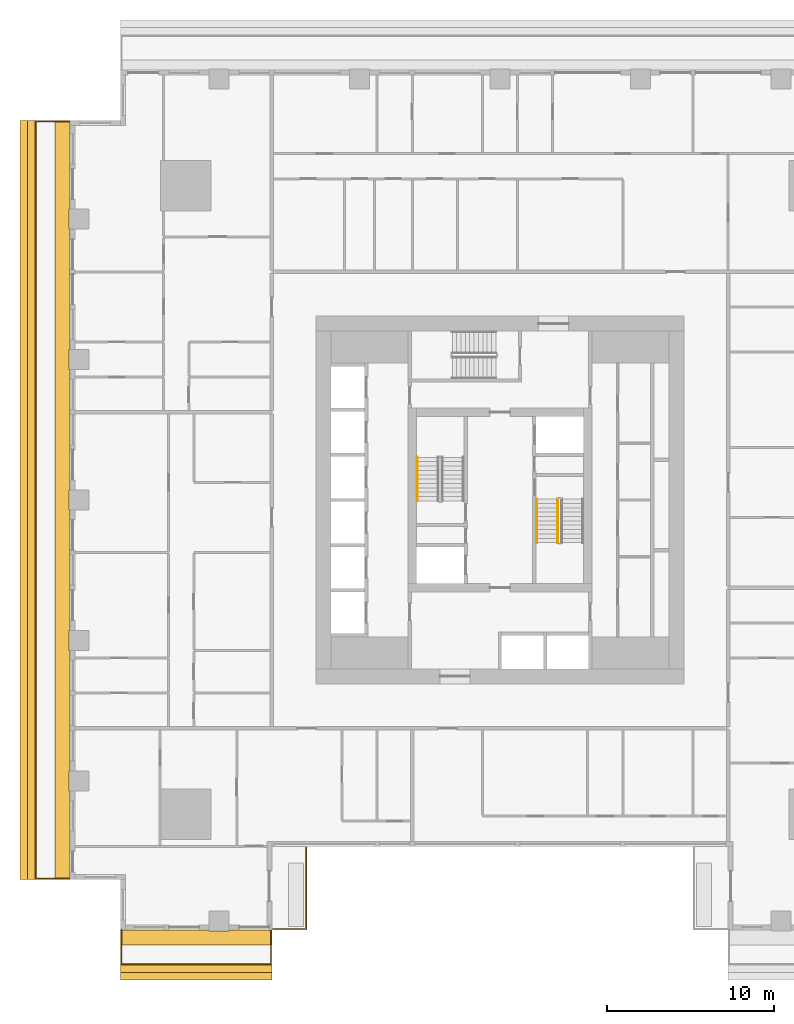
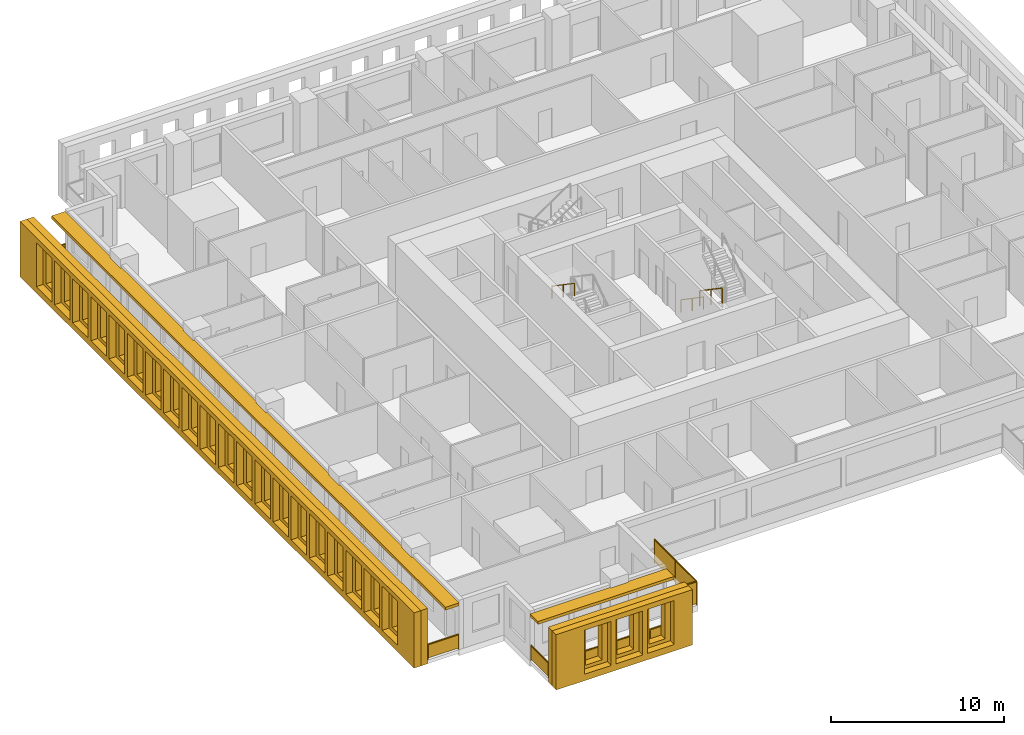
# One storey, part 10 of 14: 6 railings, 6 shading devices.
"""IFC4 building model written with IfcOpenShell, lengths in metres."""

from ifc_helpers import new_model, si_unit, direction, frame, origin, origin_2d, place, context, subcontext, project, spatial, polyline, rectangle, outline, extrude, material, layer, layer_set, type_object, element, save


model = new_model("IFC4")

# Units and contexts
model_context = context("Model", 3, precision=1e-05, world=origin(), true_north=direction((0.0, 1.0)))
body_context = subcontext(model_context, "Body", "Model", "MODEL_VIEW")
ifc_project = project(units=[si_unit("LENGTHUNIT", "METRE"), si_unit("AREAUNIT", "SQUARE_METRE"), si_unit("VOLUMEUNIT", "CUBIC_METRE"), si_unit("PLANEANGLEUNIT", "RADIAN"), si_unit("MASSUNIT", "GRAM", prefix="KILO")], contexts=[model_context])

# Site, building, storey
site_placement = place(None, origin())
site = spatial("IfcSite", under=ifc_project, at=site_placement, CompositionType="ELEMENT")
building_placement = place(site_placement, origin())
building = spatial("IfcBuilding", under=site, at=building_placement, Name="Khepri Terraces", CompositionType="ELEMENT")
storey_placement = place(building_placement, frame((0.0, 0.0, 66.0)))
storey = spatial("IfcBuildingStorey", under=building, at=storey_placement, Name="L15", CompositionType="ELEMENT", Elevation=66.0)

# Railings
ifc_material_1 = material(Name="Stainless steel grade 316", Category="steel")
railing_type_1 = type_object("IfcRailingType", Name="GRD-BAL-1100", PredefinedType="GUARDRAIL", material=ifc_material_1)
railing_1_placement = place(storey_placement, frame((-22.669921875, -25.719970703125, 0.0)))
element("IfcRailing", 1, at=railing_1_placement, inside=storey, type_object=railing_type_1, Name="Balcony guard L15 S", PredefinedType="GUARDRAIL", context=body_context, shape_type="SweptSolid", body=[
    extrude(rectangle(XDim=0.050048828125, YDim=0.06005859375, at=origin_2d()), frame((0.0, 0.0, 1.070068359375), z_axis=(0.0, -1.0, 0.0), x_axis=(1.0, 0.0, 0.0)), (0.0, 0.0, 1.0), 2.050048828125),
    extrude(rectangle(XDim=2.0, YDim=0.011962890625, at=origin_2d()), frame((0.0, -1.02490234375, 0.10009765625), z_axis=(0.0, 0.0, 1.0), x_axis=(0.0, -1.0, 0.0)), (0.0, 0.0, 1.0), 0.93994140625),
    extrude(rectangle(XDim=0.050048828125, YDim=0.06005859375, at=origin_2d()), frame((0.0, -2.050048828125, 1.070068359375), z_axis=(1.0, 0.0, 0.0), x_axis=(0.0, 1.0, 0.0)), (0.0, 0.0, 1.0), 8.969970703125),
    extrude(rectangle(XDim=2.1923828125, YDim=0.011962890625, at=origin_2d()), frame((1.121337890625, -2.050048828125, 0.10009765625), z_axis=(0.0, 0.0, 1.0), x_axis=(1.0, 0.0, 0.0)), (0.0, 0.0, 1.0), 0.93994140625),
    extrude(rectangle(XDim=2.1923828125, YDim=0.011962890625, at=origin_2d()), frame((3.36376953125, -2.050048828125, 0.10009765625), z_axis=(0.0, 0.0, 1.0), x_axis=(1.0, 0.0, 0.0)), (0.0, 0.0, 1.0), 0.93994140625),
    extrude(rectangle(XDim=2.1923828125, YDim=0.011962890625, at=origin_2d()), frame((5.606201171875, -2.050048828125, 0.10009765625), z_axis=(0.0, 0.0, 1.0), x_axis=(1.0, 0.0, 0.0)), (0.0, 0.0, 1.0), 0.93994140625),
    extrude(rectangle(XDim=2.1923828125, YDim=0.011962890625, at=origin_2d()), frame((7.8486328125, -2.050048828125, 0.10009765625), z_axis=(0.0, 0.0, 1.0), x_axis=(1.0, 0.0, 0.0)), (0.0, 0.0, 1.0), 0.93994140625),
    extrude(rectangle(XDim=0.050048828125, YDim=0.06005859375, at=origin_2d()), frame((8.969970703125, -2.050048828125, 1.070068359375), z_axis=(0.0, 1.0, 0.0), x_axis=(-1.0, 0.0, 0.0)), (0.0, 0.0, 1.0), 2.050048828125),
    extrude(rectangle(XDim=2.0, YDim=0.011962890625, at=origin_2d()), frame((8.969970703125, -1.02490234375, 0.10009765625), z_axis=(0.0, 0.0, 1.0), x_axis=(0.0, 1.0, 0.0)), (0.0, 0.0, 1.0), 0.93994140625),
    extrude(rectangle(XDim=0.050048828125, YDim=0.050048828125, at=origin_2d()), origin(), (0.0, 0.0, 1.0), 1.0400390625),
    extrude(rectangle(XDim=0.050048828125, YDim=0.050048828125, at=origin_2d()), frame((0.0, -2.050048828125, 0.0)), (0.0, 0.0, 1.0), 1.0400390625),
    extrude(rectangle(XDim=0.050048828125, YDim=0.050048828125, at=origin_2d()), frame((2.242431640625, -2.050048828125, 0.0)), (0.0, 0.0, 1.0), 1.0400390625),
    extrude(rectangle(XDim=0.050048828125, YDim=0.050048828125, at=origin_2d()), frame((4.48486328125, -2.050048828125, 0.0)), (0.0, 0.0, 1.0), 1.0400390625),
    extrude(rectangle(XDim=0.050048828125, YDim=0.050048828125, at=origin_2d()), frame((6.7275390625, -2.050048828125, 0.0)), (0.0, 0.0, 1.0), 1.0400390625),
    extrude(rectangle(XDim=0.050048828125, YDim=0.050048828125, at=origin_2d()), frame((8.969970703125, -2.050048828125, 0.0)), (0.0, 0.0, 1.0), 1.0400390625),
    extrude(rectangle(XDim=0.050048828125, YDim=0.050048828125, at=origin_2d()), frame((8.969970703125, 0.0, 0.0)), (0.0, 0.0, 1.0), 1.0400390625),
])
railing_2_placement = place(storey_placement, frame((-25.719970703125, 22.669921875, 0.0)))
element("IfcRailing", 2, at=railing_2_placement, inside=storey, type_object=railing_type_1, Name="Balcony guard L15 W", PredefinedType="GUARDRAIL", context=body_context, shape_type="SweptSolid", body=[
    extrude(rectangle(XDim=0.050048828125, YDim=0.06005859375, at=origin_2d()), frame((0.0, 0.0, 1.070068359375), z_axis=(-1.0, 0.0, 0.0), x_axis=(0.0, -1.0, 0.0)), (0.0, 0.0, 1.0), 2.050048828125),
    extrude(rectangle(XDim=2.0, YDim=0.011962890625, at=origin_2d()), frame((-1.02490234375, 0.0, 0.10009765625), z_axis=(0.0, 0.0, 1.0), x_axis=(-1.0, 0.0, 0.0)), (0.0, 0.0, 1.0), 0.93994140625),
    extrude(rectangle(XDim=0.050048828125, YDim=0.06005859375, at=origin_2d()), frame((-2.050048828125, 0.0, 1.070068359375), z_axis=(0.0, -1.0, 0.0), x_axis=(1.0, 0.0, 0.0)), (0.0, 0.0, 1.0), 45.33984375),
    extrude(rectangle(XDim=2.336181640625, YDim=0.011962890625, at=origin_2d()), frame((-2.050048828125, -1.193115234375, 0.10009765625), z_axis=(0.0, 0.0, 1.0), x_axis=(0.0, -1.0, 0.0)), (0.0, 0.0, 1.0), 0.93994140625),
    extrude(rectangle(XDim=2.336181640625, YDim=0.011962890625, at=origin_2d()), frame((-2.050048828125, -3.579345703125, 0.10009765625), z_axis=(0.0, 0.0, 1.0), x_axis=(0.0, -1.0, 0.0)), (0.0, 0.0, 1.0), 0.93994140625),
    extrude(rectangle(XDim=2.336181640625, YDim=0.011962890625, at=origin_2d()), frame((-2.050048828125, -5.9658203125, 0.10009765625), z_axis=(0.0, 0.0, 1.0), x_axis=(0.0, -1.0, 0.0)), (0.0, 0.0, 1.0), 0.93994140625),
    extrude(rectangle(XDim=2.336181640625, YDim=0.011962890625, at=origin_2d()), frame((-2.050048828125, -8.35205078125, 0.10009765625), z_axis=(0.0, 0.0, 1.0), x_axis=(0.0, -1.0, 0.0)), (0.0, 0.0, 1.0), 0.93994140625),
    extrude(rectangle(XDim=2.336181640625, YDim=0.011962890625, at=origin_2d()), frame((-2.050048828125, -10.73828125, 0.10009765625), z_axis=(0.0, 0.0, 1.0), x_axis=(0.0, -1.0, 0.0)), (0.0, 0.0, 1.0), 0.93994140625),
    extrude(rectangle(XDim=2.336181640625, YDim=0.011962890625, at=origin_2d()), frame((-2.050048828125, -13.124755859375, 0.10009765625), z_axis=(0.0, 0.0, 1.0), x_axis=(0.0, -1.0, 0.0)), (0.0, 0.0, 1.0), 0.93994140625),
    extrude(rectangle(XDim=2.336181640625, YDim=0.011962890625, at=origin_2d()), frame((-2.050048828125, -15.510986328125, 0.10009765625), z_axis=(0.0, 0.0, 1.0), x_axis=(0.0, -1.0, 0.0)), (0.0, 0.0, 1.0), 0.93994140625),
    extrude(rectangle(XDim=2.336181640625, YDim=0.011962890625, at=origin_2d()), frame((-2.050048828125, -17.897216796875, 0.10009765625), z_axis=(0.0, 0.0, 1.0), x_axis=(0.0, -1.0, 0.0)), (0.0, 0.0, 1.0), 0.93994140625),
    extrude(rectangle(XDim=2.336181640625, YDim=0.011962890625, at=origin_2d()), frame((-2.050048828125, -20.28369140625, 0.10009765625), z_axis=(0.0, 0.0, 1.0), x_axis=(0.0, -1.0, 0.0)), (0.0, 0.0, 1.0), 0.93994140625),
    extrude(rectangle(XDim=2.336181640625, YDim=0.011962890625, at=origin_2d()), frame((-2.050048828125, -22.669921875, 0.10009765625), z_axis=(0.0, 0.0, 1.0), x_axis=(0.0, -1.0, 0.0)), (0.0, 0.0, 1.0), 0.93994140625),
    extrude(rectangle(XDim=2.336181640625, YDim=0.011962890625, at=origin_2d()), frame((-2.050048828125, -25.05615234375, 0.10009765625), z_axis=(0.0, 0.0, 1.0), x_axis=(0.0, -1.0, 0.0)), (0.0, 0.0, 1.0), 0.93994140625),
    extrude(rectangle(XDim=2.336181640625, YDim=0.011962890625, at=origin_2d()), frame((-2.050048828125, -27.442626953125, 0.10009765625), z_axis=(0.0, 0.0, 1.0), x_axis=(0.0, -1.0, 0.0)), (0.0, 0.0, 1.0), 0.93994140625),
    extrude(rectangle(XDim=2.336181640625, YDim=0.011962890625, at=origin_2d()), frame((-2.050048828125, -29.828857421875, 0.10009765625), z_axis=(0.0, 0.0, 1.0), x_axis=(0.0, -1.0, 0.0)), (0.0, 0.0, 1.0), 0.93994140625),
    extrude(rectangle(XDim=2.336181640625, YDim=0.011962890625, at=origin_2d()), frame((-2.050048828125, -32.215087890625, 0.10009765625), z_axis=(0.0, 0.0, 1.0), x_axis=(0.0, -1.0, 0.0)), (0.0, 0.0, 1.0), 0.93994140625),
    extrude(rectangle(XDim=2.336181640625, YDim=0.011962890625, at=origin_2d()), frame((-2.050048828125, -34.6015625, 0.10009765625), z_axis=(0.0, 0.0, 1.0), x_axis=(0.0, -1.0, 0.0)), (0.0, 0.0, 1.0), 0.93994140625),
    extrude(rectangle(XDim=2.336181640625, YDim=0.011962890625, at=origin_2d()), frame((-2.050048828125, -36.98779296875, 0.10009765625), z_axis=(0.0, 0.0, 1.0), x_axis=(0.0, -1.0, 0.0)), (0.0, 0.0, 1.0), 0.93994140625),
    extrude(rectangle(XDim=2.336181640625, YDim=0.011962890625, at=origin_2d()), frame((-2.050048828125, -39.3740234375, 0.10009765625), z_axis=(0.0, 0.0, 1.0), x_axis=(0.0, -1.0, 0.0)), (0.0, 0.0, 1.0), 0.93994140625),
    extrude(rectangle(XDim=2.336181640625, YDim=0.011962890625, at=origin_2d()), frame((-2.050048828125, -41.760498046875, 0.10009765625), z_axis=(0.0, 0.0, 1.0), x_axis=(0.0, -1.0, 0.0)), (0.0, 0.0, 1.0), 0.93994140625),
    extrude(rectangle(XDim=2.336181640625, YDim=0.011962890625, at=origin_2d()), frame((-2.050048828125, -44.146728515625, 0.10009765625), z_axis=(0.0, 0.0, 1.0), x_axis=(0.0, -1.0, 0.0)), (0.0, 0.0, 1.0), 0.93994140625),
    extrude(rectangle(XDim=0.050048828125, YDim=0.06005859375, at=origin_2d()), frame((-2.050048828125, -45.33984375, 1.070068359375), z_axis=(1.0, 0.0, 0.0), x_axis=(0.0, 1.0, 0.0)), (0.0, 0.0, 1.0), 2.050048828125),
    extrude(rectangle(XDim=2.0, YDim=0.011962890625, at=origin_2d()), frame((-1.02490234375, -45.33984375, 0.10009765625), z_axis=(0.0, 0.0, 1.0), x_axis=(1.0, 0.0, 0.0)), (0.0, 0.0, 1.0), 0.93994140625),
    extrude(rectangle(XDim=0.050048828125, YDim=0.050048828125, at=origin_2d()), origin(), (0.0, 0.0, 1.0), 1.0400390625),
    extrude(rectangle(XDim=0.050048828125, YDim=0.050048828125, at=origin_2d()), frame((-2.050048828125, 0.0, 0.0)), (0.0, 0.0, 1.0), 1.0400390625),
    extrude(rectangle(XDim=0.050048828125, YDim=0.050048828125, at=origin_2d()), frame((-2.050048828125, -2.38623046875, 0.0)), (0.0, 0.0, 1.0), 1.0400390625),
    extrude(rectangle(XDim=0.050048828125, YDim=0.050048828125, at=origin_2d()), frame((-2.050048828125, -4.772705078125, 0.0)), (0.0, 0.0, 1.0), 1.0400390625),
    extrude(rectangle(XDim=0.050048828125, YDim=0.050048828125, at=origin_2d()), frame((-2.050048828125, -7.158935546875, 0.0)), (0.0, 0.0, 1.0), 1.0400390625),
    extrude(rectangle(XDim=0.050048828125, YDim=0.050048828125, at=origin_2d()), frame((-2.050048828125, -9.545166015625, 0.0)), (0.0, 0.0, 1.0), 1.0400390625),
    extrude(rectangle(XDim=0.050048828125, YDim=0.050048828125, at=origin_2d()), frame((-2.050048828125, -11.931640625, 0.0)), (0.0, 0.0, 1.0), 1.0400390625),
    extrude(rectangle(XDim=0.050048828125, YDim=0.050048828125, at=origin_2d()), frame((-2.050048828125, -14.31787109375, 0.0)), (0.0, 0.0, 1.0), 1.0400390625),
    extrude(rectangle(XDim=0.050048828125, YDim=0.050048828125, at=origin_2d()), frame((-2.050048828125, -16.7041015625, 0.0)), (0.0, 0.0, 1.0), 1.0400390625),
    extrude(rectangle(XDim=0.050048828125, YDim=0.050048828125, at=origin_2d()), frame((-2.050048828125, -19.090576171875, 0.0)), (0.0, 0.0, 1.0), 1.0400390625),
    extrude(rectangle(XDim=0.050048828125, YDim=0.050048828125, at=origin_2d()), frame((-2.050048828125, -21.476806640625, 0.0)), (0.0, 0.0, 1.0), 1.0400390625),
    extrude(rectangle(XDim=0.050048828125, YDim=0.050048828125, at=origin_2d()), frame((-2.050048828125, -23.863037109375, 0.0)), (0.0, 0.0, 1.0), 1.0400390625),
    extrude(rectangle(XDim=0.050048828125, YDim=0.050048828125, at=origin_2d()), frame((-2.050048828125, -26.249267578125, 0.0)), (0.0, 0.0, 1.0), 1.0400390625),
    extrude(rectangle(XDim=0.050048828125, YDim=0.050048828125, at=origin_2d()), frame((-2.050048828125, -28.6357421875, 0.0)), (0.0, 0.0, 1.0), 1.0400390625),
    extrude(rectangle(XDim=0.050048828125, YDim=0.050048828125, at=origin_2d()), frame((-2.050048828125, -31.02197265625, 0.0)), (0.0, 0.0, 1.0), 1.0400390625),
    extrude(rectangle(XDim=0.050048828125, YDim=0.050048828125, at=origin_2d()), frame((-2.050048828125, -33.408203125, 0.0)), (0.0, 0.0, 1.0), 1.0400390625),
    extrude(rectangle(XDim=0.050048828125, YDim=0.050048828125, at=origin_2d()), frame((-2.050048828125, -35.794677734375, 0.0)), (0.0, 0.0, 1.0), 1.0400390625),
    extrude(rectangle(XDim=0.050048828125, YDim=0.050048828125, at=origin_2d()), frame((-2.050048828125, -38.180908203125, 0.0)), (0.0, 0.0, 1.0), 1.0400390625),
    extrude(rectangle(XDim=0.050048828125, YDim=0.050048828125, at=origin_2d()), frame((-2.050048828125, -40.567138671875, 0.0)), (0.0, 0.0, 1.0), 1.0400390625),
    extrude(rectangle(XDim=0.050048828125, YDim=0.050048828125, at=origin_2d()), frame((-2.050048828125, -42.95361328125, 0.0)), (0.0, 0.0, 1.0), 1.0400390625),
    extrude(rectangle(XDim=0.050048828125, YDim=0.050048828125, at=origin_2d()), frame((-2.050048828125, -45.33984375, 0.0)), (0.0, 0.0, 1.0), 1.0400390625),
    extrude(rectangle(XDim=0.050048828125, YDim=0.050048828125, at=origin_2d()), frame((0.0, -45.33984375, 0.0)), (0.0, 0.0, 1.0), 1.0400390625),
])
railing_type_2 = type_object("IfcRailingType", Name="GRD-TERR-1700", PredefinedType="GUARDRAIL", material=ifc_material_1)
railing_3_placement = place(storey_placement, frame((-11.60009765625, -20.7900390625, 0.0)))
element("IfcRailing", 3, at=railing_3_placement, inside=storey, type_object=railing_type_2, Name="Terrace guard L15", PredefinedType="GUARDRAIL", context=body_context, shape_type="SweptSolid", body=[
    extrude(rectangle(XDim=0.050048828125, YDim=0.06005859375, at=origin_2d()), frame((0.0, 0.0, 1.669921875), z_axis=(0.0, -1.0, 0.0), x_axis=(1.0, 0.0, 0.0)), (0.0, 0.0, 1.0), 4.8798828125),
    extrude(rectangle(XDim=2.389892578125, YDim=0.011962890625, at=origin_2d()), frame((0.0, -1.219970703125, 0.10009765625), z_axis=(0.0, 0.0, 1.0), x_axis=(0.0, -1.0, 0.0)), (0.0, 0.0, 1.0), 1.539794921875),
    extrude(rectangle(XDim=2.389892578125, YDim=0.011962890625, at=origin_2d()), frame((0.0, -3.659912109375, 0.10009765625), z_axis=(0.0, 0.0, 1.0), x_axis=(0.0, -1.0, 0.0)), (0.0, 0.0, 1.0), 1.539794921875),
    extrude(rectangle(XDim=0.050048828125, YDim=0.06005859375, at=origin_2d()), frame((0.0, -4.8798828125, 1.669921875), z_axis=(-1.0, 0.0, 0.0), x_axis=(0.0, -1.0, 0.0)), (0.0, 0.0, 1.0), 1.97998046875),
    extrude(rectangle(XDim=1.929931640625, YDim=0.011962890625, at=origin_2d()), frame((-0.989990234375, -4.8798828125, 0.10009765625), z_axis=(0.0, 0.0, 1.0), x_axis=(-1.0, 0.0, 0.0)), (0.0, 0.0, 1.0), 1.539794921875),
    extrude(rectangle(XDim=0.050048828125, YDim=0.050048828125, at=origin_2d()), origin(), (0.0, 0.0, 1.0), 1.639892578125),
    extrude(rectangle(XDim=0.050048828125, YDim=0.050048828125, at=origin_2d()), frame((0.0, -2.43994140625, 0.0)), (0.0, 0.0, 1.0), 1.639892578125),
    extrude(rectangle(XDim=0.050048828125, YDim=0.050048828125, at=origin_2d()), frame((0.0, -4.8798828125, 0.0)), (0.0, 0.0, 1.0), 1.639892578125),
    extrude(rectangle(XDim=0.050048828125, YDim=0.050048828125, at=origin_2d()), frame((-1.97998046875, -4.8798828125, 0.0)), (0.0, 0.0, 1.0), 1.639892578125),
])
ifc_material_2 = material(Name="Stainless steel 316", Category="steel")
railing_type_3 = type_object("IfcRailingType", Name="RL-CORE-GUARD", PredefinedType="GUARDRAIL", material=ifc_material_2)
railing_4_placement = place(storey_placement, frame((3.449951171875, 0.050048828125, 0.17724609375)))
element("IfcRailing", 4, at=railing_4_placement, inside=storey, type_object=railing_type_3, Name="L15 ST-2 stair guard 1", PredefinedType="GUARDRAIL", context=body_context, shape_type="SweptSolid", body=[
    extrude(rectangle(XDim=0.050048828125, YDim=0.06005859375, at=origin_2d()), frame((0.0, 0.0, 1.070068359375), z_axis=(0.0, -0.826240473404, 0.563317565952), x_axis=(1.0, 0.0, 0.0)), (0.0, 0.0, 1.0), 3.14697265625),
    extrude(rectangle(XDim=0.050048828125, YDim=0.050048828125, at=origin_2d()), origin(), (0.0, 0.0, 1.0), 1.0400390625),
    extrude(rectangle(XDim=0.050048828125, YDim=0.050048828125, at=origin_2d()), frame((0.0, -1.300048828125, 0.88623046875)), (0.0, 0.0, 1.0), 1.0400390625),
    extrude(rectangle(XDim=0.050048828125, YDim=0.050048828125, at=origin_2d()), frame((0.0, -2.60009765625, 1.772705078125)), (0.0, 0.0, 1.0), 1.0400390625),
])
railing_type_4 = type_object("IfcRailingType", Name="RL-CORE-HANDRAIL", PredefinedType="HANDRAIL", material=ifc_material_2)
for number, where, name in (
    (5, (-4.949951171875, 2.550048828125, 2.127197265625), "L15 ST-1 stair handrail 2"),
    (6, (2.199951171875, 0.050048828125, 0.17724609375), "L15 ST-2 stair handrail 1"),
):
    element("IfcRailing", number, at=place(storey_placement, frame(where)), inside=storey, type_object=railing_type_4, Name=name, PredefinedType="HANDRAIL", context=body_context, shape_type="SweptSolid", body=[
        extrude(rectangle(XDim=0.050048828125, YDim=0.050048828125, at=origin_2d()), frame((0.0, 0.0, 0.875), z_axis=(0.0, -0.826240473404, 0.563317565952), x_axis=(1.0, 0.0, 0.0)), (0.0, 0.0, 1.0), 3.14697265625),
        extrude(rectangle(XDim=0.050048828125, YDim=0.050048828125, at=origin_2d()), origin(), (0.0, 0.0, 1.0), 0.849853515625),
        extrude(rectangle(XDim=0.050048828125, YDim=0.050048828125, at=origin_2d()), frame((0.0, -1.300048828125, 0.88623046875)), (0.0, 0.0, 1.0), 0.849853515625),
        extrude(rectangle(XDim=0.050048828125, YDim=0.050048828125, at=origin_2d()), frame((0.0, -2.60009765625, 1.772705078125)), (0.0, 0.0, 1.0), 0.849853515625),
    ])

# Shading devices
ifc_material_3 = material(Name="Precast concrete C50/60 warm stone", Category="masonry")
shading_device_type_1 = type_object("IfcShadingDeviceType", Name="SCR-CELL-INNER-450", PredefinedType="USERDEFINED", material=ifc_material_3)
shading_device_1_placement = place(storey_placement, frame((-22.719970703125, -27.820068359375, -0.25), z_axis=(0.0, -1.0, 0.0), x_axis=(1.0, 0.0, 0.0)))
element("IfcShadingDevice", 7, at=shading_device_1_placement, inside=storey, type_object=shading_device_type_1, Name="Cell screen L15 S in", ObjectType="SCREEN", PredefinedType="USERDEFINED", context=body_context, shape_type="SweptSolid", body=[
    extrude(outline(polyline([(0.0, 0.0), (9.070068359375, 0.0), (9.070068359375, 3.89990234375), (0.0, 3.89990234375), (0.0, 0.0)]), holes=[polyline([(0.126708984375, 0.699951171875), (1.21337890625, 0.699951171875), (1.21337890625, 3.300048828125), (0.126708984375, 3.300048828125), (0.126708984375, 0.699951171875)]), polyline([(2.2265625, 0.699951171875), (3.3134765625, 0.699951171875), (3.3134765625, 3.300048828125), (2.2265625, 3.300048828125), (2.2265625, 0.699951171875)]), polyline([(4.32666015625, 0.699951171875), (5.413330078125, 0.699951171875), (5.413330078125, 3.300048828125), (4.32666015625, 3.300048828125), (4.32666015625, 0.699951171875)]), polyline([(6.426513671875, 0.699951171875), (7.513427734375, 0.699951171875), (7.513427734375, 3.300048828125), (6.426513671875, 3.300048828125), (6.426513671875, 0.699951171875)])]), origin(), (0.0, 0.0, 1.0), 0.449951171875),
])
shading_device_2_placement = place(storey_placement, frame((-27.820068359375, 22.719970703125, -0.25), z_axis=(-1.0, 0.0, 0.0), x_axis=(0.0, -1.0, 0.0)))
element("IfcShadingDevice", 8, at=shading_device_2_placement, inside=storey, type_object=shading_device_type_1, Name="Cell screen L15 W in", ObjectType="SCREEN", PredefinedType="USERDEFINED", context=body_context, shape_type="SweptSolid", body=[
    extrude(outline(polyline([(0.0, 0.0), (45.43994140625, 0.0), (45.43994140625, 3.89990234375), (0.0, 3.89990234375), (0.0, 0.0)]), holes=[polyline([(0.126708984375, 0.699951171875), (1.21337890625, 0.699951171875), (1.21337890625, 3.300048828125), (0.126708984375, 3.300048828125), (0.126708984375, 0.699951171875)]), polyline([(2.2265625, 0.699951171875), (3.3134765625, 0.699951171875), (3.3134765625, 3.300048828125), (2.2265625, 3.300048828125), (2.2265625, 0.699951171875)]), polyline([(4.32666015625, 0.699951171875), (5.413330078125, 0.699951171875), (5.413330078125, 3.300048828125), (4.32666015625, 3.300048828125), (4.32666015625, 0.699951171875)]), polyline([(6.426513671875, 0.699951171875), (7.513427734375, 0.699951171875), (7.513427734375, 3.300048828125), (6.426513671875, 3.300048828125), (6.426513671875, 0.699951171875)]), polyline([(8.526611328125, 0.699951171875), (9.61328125, 0.699951171875), (9.61328125, 3.300048828125), (8.526611328125, 3.300048828125), (8.526611328125, 0.699951171875)]), polyline([(10.626708984375, 0.699951171875), (11.71337890625, 0.699951171875), (11.71337890625, 3.300048828125), (10.626708984375, 3.300048828125), (10.626708984375, 0.699951171875)]), polyline([(12.7265625, 0.699951171875), (13.8134765625, 0.699951171875), (13.8134765625, 3.300048828125), (12.7265625, 3.300048828125), (12.7265625, 0.699951171875)]), polyline([(14.82666015625, 0.699951171875), (15.913330078125, 0.699951171875), (15.913330078125, 3.300048828125), (14.82666015625, 3.300048828125), (14.82666015625, 0.699951171875)]), polyline([(16.926513671875, 0.699951171875), (18.013427734375, 0.699951171875), (18.013427734375, 3.300048828125), (16.926513671875, 3.300048828125), (16.926513671875, 0.699951171875)]), polyline([(19.026611328125, 0.699951171875), (20.11328125, 0.699951171875), (20.11328125, 3.300048828125), (19.026611328125, 3.300048828125), (19.026611328125, 0.699951171875)]), polyline([(21.126708984375, 0.699951171875), (22.21337890625, 0.699951171875), (22.21337890625, 3.300048828125), (21.126708984375, 3.300048828125), (21.126708984375, 0.699951171875)]), polyline([(23.2265625, 0.699951171875), (24.3134765625, 0.699951171875), (24.3134765625, 3.300048828125), (23.2265625, 3.300048828125), (23.2265625, 0.699951171875)]), polyline([(25.32666015625, 0.699951171875), (26.413330078125, 0.699951171875), (26.413330078125, 3.300048828125), (25.32666015625, 3.300048828125), (25.32666015625, 0.699951171875)]), polyline([(27.426513671875, 0.699951171875), (28.513427734375, 0.699951171875), (28.513427734375, 3.300048828125), (27.426513671875, 3.300048828125), (27.426513671875, 0.699951171875)]), polyline([(29.526611328125, 0.699951171875), (30.61328125, 0.699951171875), (30.61328125, 3.300048828125), (29.526611328125, 3.300048828125), (29.526611328125, 0.699951171875)]), polyline([(31.626708984375, 0.699951171875), (32.71337890625, 0.699951171875), (32.71337890625, 3.300048828125), (31.626708984375, 3.300048828125), (31.626708984375, 0.699951171875)]), polyline([(33.7265625, 0.699951171875), (34.8134765625, 0.699951171875), (34.8134765625, 3.300048828125), (33.7265625, 3.300048828125), (33.7265625, 0.699951171875)]), polyline([(35.82666015625, 0.699951171875), (36.913330078125, 0.699951171875), (36.913330078125, 3.300048828125), (35.82666015625, 3.300048828125), (35.82666015625, 0.699951171875)]), polyline([(37.926513671875, 0.699951171875), (39.013427734375, 0.699951171875), (39.013427734375, 3.300048828125), (37.926513671875, 3.300048828125), (37.926513671875, 0.699951171875)]), polyline([(40.026611328125, 0.699951171875), (41.11328125, 0.699951171875), (41.11328125, 3.300048828125), (40.026611328125, 3.300048828125), (40.026611328125, 0.699951171875)]), polyline([(42.126708984375, 0.699951171875), (43.21337890625, 0.699951171875), (43.21337890625, 3.300048828125), (42.126708984375, 3.300048828125), (42.126708984375, 0.699951171875)]), polyline([(44.2265625, 0.699951171875), (45.3134765625, 0.699951171875), (45.3134765625, 3.300048828125), (44.2265625, 3.300048828125), (44.2265625, 0.699951171875)])]), origin(), (0.0, 0.0, 1.0), 0.449951171875),
])
shading_device_type_2 = type_object("IfcShadingDeviceType", Name="SCR-CELL-OUTER-450", PredefinedType="USERDEFINED", material=ifc_material_3)
shading_device_3_placement = place(storey_placement, frame((-22.719970703125, -28.27001953125, -0.25), z_axis=(0.0, -1.0, 0.0), x_axis=(1.0, 0.0, 0.0)))
element("IfcShadingDevice", 9, at=shading_device_3_placement, inside=storey, type_object=shading_device_type_2, Name="Cell screen L15 S out", ObjectType="SCREEN", PredefinedType="USERDEFINED", context=body_context, shape_type="SweptSolid", body=[
    extrude(outline(polyline([(0.0, 0.0), (9.070068359375, 0.0), (9.070068359375, 3.89990234375), (0.0, 3.89990234375), (0.0, 0.0)]), holes=[polyline([(1.876708984375, 0.449951171875), (3.663330078125, 0.449951171875), (3.663330078125, 3.550048828125), (1.876708984375, 3.550048828125), (1.876708984375, 0.449951171875)]), polyline([(3.9765625, 0.449951171875), (5.763427734375, 0.449951171875), (5.763427734375, 3.550048828125), (3.9765625, 3.550048828125), (3.9765625, 0.449951171875)]), polyline([(6.07666015625, 0.449951171875), (7.86328125, 0.449951171875), (7.86328125, 3.550048828125), (6.07666015625, 3.550048828125), (6.07666015625, 0.449951171875)])]), origin(), (0.0, 0.0, 1.0), 0.449951171875),
])
shading_device_4_placement = place(storey_placement, frame((-28.27001953125, 22.719970703125, -0.25), z_axis=(-1.0, 0.0, 0.0), x_axis=(0.0, -1.0, 0.0)))
element("IfcShadingDevice", 10, at=shading_device_4_placement, inside=storey, type_object=shading_device_type_2, Name="Cell screen L15 W out", ObjectType="SCREEN", PredefinedType="USERDEFINED", context=body_context, shape_type="SweptSolid", body=[
    extrude(outline(polyline([(0.0, 0.0), (45.43994140625, 0.0), (45.43994140625, 3.89990234375), (0.0, 3.89990234375), (0.0, 0.0)]), holes=[polyline([(1.876708984375, 0.449951171875), (3.663330078125, 0.449951171875), (3.663330078125, 3.550048828125), (1.876708984375, 3.550048828125), (1.876708984375, 0.449951171875)]), polyline([(3.9765625, 0.449951171875), (5.763427734375, 0.449951171875), (5.763427734375, 3.550048828125), (3.9765625, 3.550048828125), (3.9765625, 0.449951171875)]), polyline([(6.07666015625, 0.449951171875), (7.86328125, 0.449951171875), (7.86328125, 3.550048828125), (6.07666015625, 3.550048828125), (6.07666015625, 0.449951171875)]), polyline([(8.176513671875, 0.449951171875), (9.96337890625, 0.449951171875), (9.96337890625, 3.550048828125), (8.176513671875, 3.550048828125), (8.176513671875, 0.449951171875)]), polyline([(10.276611328125, 0.449951171875), (12.0634765625, 0.449951171875), (12.0634765625, 3.550048828125), (10.276611328125, 3.550048828125), (10.276611328125, 0.449951171875)]), polyline([(12.376708984375, 0.449951171875), (14.163330078125, 0.449951171875), (14.163330078125, 3.550048828125), (12.376708984375, 3.550048828125), (12.376708984375, 0.449951171875)]), polyline([(14.4765625, 0.449951171875), (16.263427734375, 0.449951171875), (16.263427734375, 3.550048828125), (14.4765625, 3.550048828125), (14.4765625, 0.449951171875)]), polyline([(16.57666015625, 0.449951171875), (18.36328125, 0.449951171875), (18.36328125, 3.550048828125), (16.57666015625, 3.550048828125), (16.57666015625, 0.449951171875)]), polyline([(18.676513671875, 0.449951171875), (20.46337890625, 0.449951171875), (20.46337890625, 3.550048828125), (18.676513671875, 3.550048828125), (18.676513671875, 0.449951171875)]), polyline([(20.776611328125, 0.449951171875), (22.5634765625, 0.449951171875), (22.5634765625, 3.550048828125), (20.776611328125, 3.550048828125), (20.776611328125, 0.449951171875)]), polyline([(22.876708984375, 0.449951171875), (24.663330078125, 0.449951171875), (24.663330078125, 3.550048828125), (22.876708984375, 3.550048828125), (22.876708984375, 0.449951171875)]), polyline([(24.9765625, 0.449951171875), (26.763427734375, 0.449951171875), (26.763427734375, 3.550048828125), (24.9765625, 3.550048828125), (24.9765625, 0.449951171875)]), polyline([(27.07666015625, 0.449951171875), (28.86328125, 0.449951171875), (28.86328125, 3.550048828125), (27.07666015625, 3.550048828125), (27.07666015625, 0.449951171875)]), polyline([(29.176513671875, 0.449951171875), (30.96337890625, 0.449951171875), (30.96337890625, 3.550048828125), (29.176513671875, 3.550048828125), (29.176513671875, 0.449951171875)]), polyline([(31.276611328125, 0.449951171875), (33.0634765625, 0.449951171875), (33.0634765625, 3.550048828125), (31.276611328125, 3.550048828125), (31.276611328125, 0.449951171875)]), polyline([(33.376708984375, 0.449951171875), (35.163330078125, 0.449951171875), (35.163330078125, 3.550048828125), (33.376708984375, 3.550048828125), (33.376708984375, 0.449951171875)]), polyline([(35.4765625, 0.449951171875), (37.263427734375, 0.449951171875), (37.263427734375, 3.550048828125), (35.4765625, 3.550048828125), (35.4765625, 0.449951171875)]), polyline([(37.57666015625, 0.449951171875), (39.36328125, 0.449951171875), (39.36328125, 3.550048828125), (37.57666015625, 3.550048828125), (37.57666015625, 0.449951171875)]), polyline([(39.676513671875, 0.449951171875), (41.46337890625, 0.449951171875), (41.46337890625, 3.550048828125), (39.676513671875, 3.550048828125), (39.676513671875, 0.449951171875)]), polyline([(41.776611328125, 0.449951171875), (43.5634765625, 0.449951171875), (43.5634765625, 3.550048828125), (41.776611328125, 3.550048828125), (41.776611328125, 0.449951171875)])]), origin(), (0.0, 0.0, 1.0), 0.449951171875),
])
ifc_layer = layer(ifc_material_3, 0.199951171875, Name="Precast concrete C50/60 warm stone", Category="masonry")
ifc_layer_set = layer_set([ifc_layer], Name="Precast concrete C50/60 warm stone")
shading_device_type_3 = type_object("IfcShadingDeviceType", Name="SSH-BAND-STONE-200", PredefinedType="USERDEFINED", material=ifc_layer_set)
shading_device_5_placement = place(storey_placement, frame((0.0, 0.0, 3.10009765625)))
element("IfcShadingDevice", 11, at=shading_device_5_placement, inside=storey, type_object=shading_device_type_3, Name="Sunshade band L15 S", ObjectType="SUNSHADE", PredefinedType="USERDEFINED", context=body_context, shape_type="SweptSolid", body=[
    extrude(outline(polyline([(-17.39990234375, -25.719970703125), (-22.719970703125, -25.719970703125), (-22.719970703125, -26.6201171875), (-13.64990234375, -26.6201171875), (-13.64990234375, -25.719970703125), (-16.199951171875, -25.719970703125), (-16.199951171875, -25.800048828125), (-17.39990234375, -25.800048828125), (-17.39990234375, -25.719970703125)])), origin(), (0.0, 0.0, 1.0), 0.199951171875),
])
shading_device_6_placement = place(storey_placement, frame((0.0, 0.0, 3.10009765625)))
element("IfcShadingDevice", 12, at=shading_device_6_placement, inside=storey, type_object=shading_device_type_3, Name="Sunshade band L15 W", ObjectType="SUNSHADE", PredefinedType="USERDEFINED", context=body_context, shape_type="SweptSolid", body=[
    extrude(outline(polyline([(-25.719970703125, 17.39990234375), (-25.719970703125, 22.719970703125), (-26.6201171875, 22.719970703125), (-26.6201171875, -22.719970703125), (-25.719970703125, -22.719970703125), (-25.719970703125, -17.39990234375), (-25.800048828125, -17.39990234375), (-25.800048828125, -16.199951171875), (-25.719970703125, -16.199951171875), (-25.719970703125, -9.0), (-25.800048828125, -9.0), (-25.800048828125, -7.800048828125), (-25.719970703125, -7.800048828125), (-25.719970703125, -0.60009765625), (-25.800048828125, -0.60009765625), (-25.800048828125, 0.60009765625), (-25.719970703125, 0.60009765625), (-25.719970703125, 7.800048828125), (-25.800048828125, 7.800048828125), (-25.800048828125, 9.0), (-25.719970703125, 9.0), (-25.719970703125, 16.199951171875), (-25.800048828125, 16.199951171875), (-25.800048828125, 17.39990234375), (-25.719970703125, 17.39990234375)])), origin(), (0.0, 0.0, 1.0), 0.199951171875),
])

save(model, "model.ifc")
